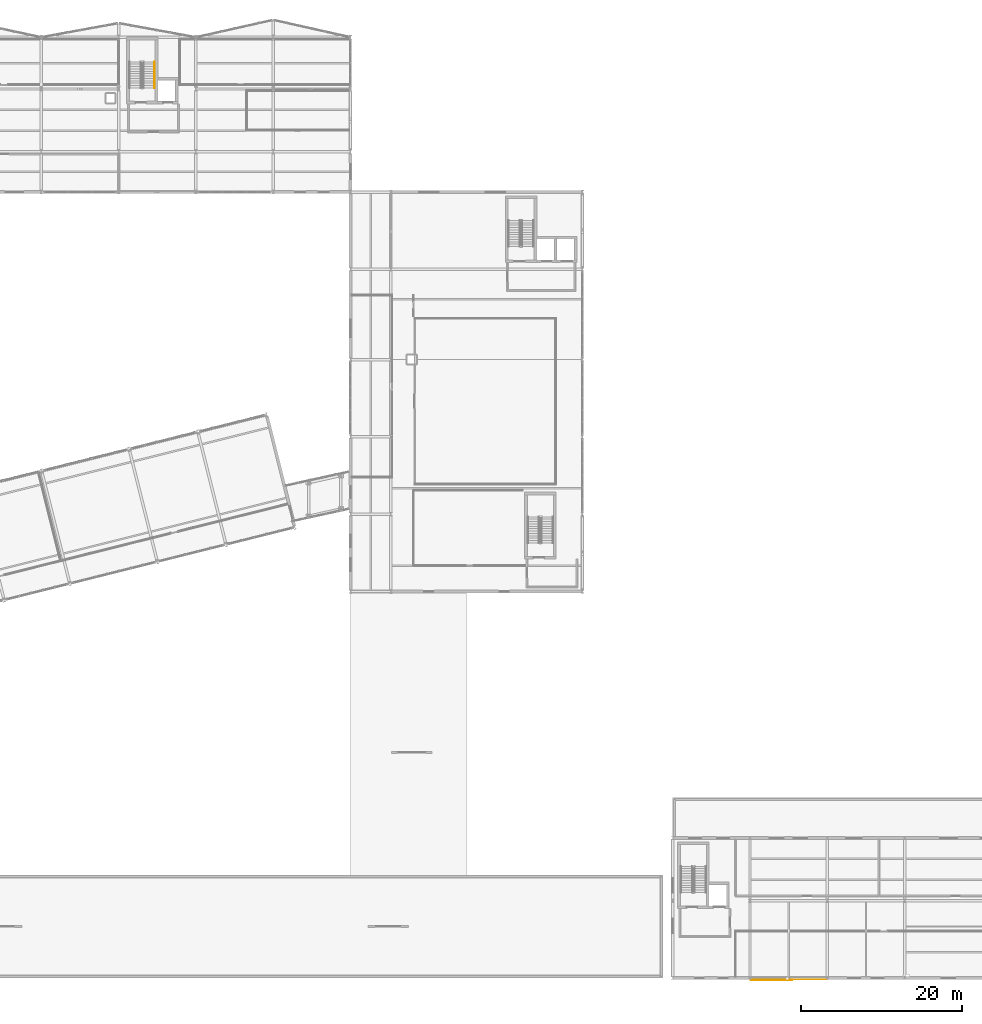
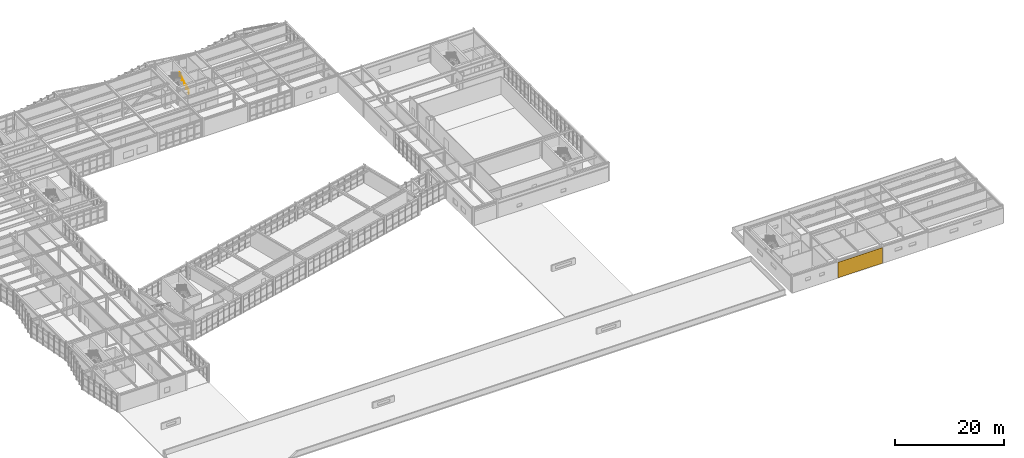
# One storey, part 87 of 88: 1 covering, 1 railing.
"""IFC4 building model written with IfcOpenShell, lengths in metres."""

from ifc_helpers import new_model, si_unit, direction, frame, origin, origin_2d, place, context, subcontext, project, spatial, rectangle, circle, extrude, material, layer, layer_set, type_object, element, save


model = new_model("IFC4")

# Units and contexts
model_context = context("Model", 3, precision=1e-05, world=origin(), true_north=direction((0.0, 1.0)))
body_context = subcontext(model_context, "Body", "Model", "MODEL_VIEW")
ifc_project = project(units=[si_unit("LENGTHUNIT", "METRE"), si_unit("AREAUNIT", "SQUARE_METRE"), si_unit("VOLUMEUNIT", "CUBIC_METRE"), si_unit("PLANEANGLEUNIT", "RADIAN"), si_unit("MASSUNIT", "GRAM", prefix="KILO")], contexts=[model_context])

# Site, building, storey
site_placement = place(None, origin())
site = spatial("IfcSite", under=ifc_project, at=site_placement, CompositionType="ELEMENT")
building_placement = place(site_placement, origin())
building = spatial("IfcBuilding", under=site, at=building_placement, Name="Nordkorset Police Headquarters", CompositionType="ELEMENT")
storey_placement = place(building_placement, frame((0.0, 0.0, 9.449951171875)))
storey = spatial("IfcBuildingStorey", under=building, at=storey_placement, Name="L02", CompositionType="ELEMENT", Elevation=9.449951171875)

# Covering
ifc_material_1 = material(Name="Nordic granite cladding", Category="masonry")
ifc_layer_1 = layer(ifc_material_1, 0.050048828125, Name="Nordic granite cladding")
ifc_layer_set_1 = layer_set([ifc_layer_1], Name="Nordic granite cladding")
covering_type = type_object("IfcCoveringType", Name="Cladding_Nordic_Granite", PredefinedType="CLADDING", material=ifc_layer_set_1)
covering_placement = place(storey_placement, frame((140.800048828125, -0.215087890625, 0.0751953125), z_axis=(0.0, 0.0, 1.0), x_axis=(1.0, 0.0, 0.0)))
element("IfcCovering", 1, at=covering_placement, inside=storey, type_object=covering_type, Name="Nordic Granite Rainscreen Cladding L02 V6S-1", PredefinedType="CLADDING", context=body_context, shape_type="SweptSolid", body=[
    extrude(rectangle(XDim=9.43408203125, YDim=0.050048828125, at=origin_2d()), origin(), (0.0, 0.0, 1.0), 3.485107421875),
])

# Railing
ifc_material_2 = material(Name="Steel S355J2", Category="steel")
ifc_layer_2 = layer(ifc_material_2, 0.048095703125, Name="Steel S355J2")
ifc_layer_set_2 = layer_set([ifc_layer_2], Name="Steel S355J2")
railing_type = type_object("IfcRailingType", Name="Railing_Handrail_900", PredefinedType="HANDRAIL", material=ifc_layer_set_2)
railing_placement = place(storey_placement, frame((62.074951171875, 110.52490234375, 0.175048828125)))
element("IfcRailing", 2, at=railing_placement, inside=storey, type_object=railing_type, Name="L02 ST-02 stair handrail 1", PredefinedType="HANDRAIL", context=body_context, shape_type="SweptSolid", body=[
    extrude(circle(Radius=0.02392578125, at=origin_2d()), frame((0.0, 0.0, 0.8759765625), z_axis=(0.0, 0.860057060016, 0.510197857224), x_axis=(-1.0, 0.0, 0.0)), (0.0, 0.0, 1.0), 3.773193359375),
    extrude(circle(Radius=0.02099609375, at=origin_2d()), origin(), (0.0, 0.0, 1.0), 0.851806640625),
    extrude(circle(Radius=0.02099609375, at=origin_2d()), frame((0.0, 0.811279296875, 0.481201171875)), (0.0, 0.0, 1.0), 0.851806640625),
    extrude(circle(Radius=0.02099609375, at=origin_2d()), frame((0.0, 1.62255859375, 0.96240234375)), (0.0, 0.0, 1.0), 0.851806640625),
    extrude(circle(Radius=0.02099609375, at=origin_2d()), frame((0.0, 2.433837890625, 1.44384765625)), (0.0, 0.0, 1.0), 0.851806640625),
    extrude(circle(Radius=0.02099609375, at=origin_2d()), frame((0.0, 3.2451171875, 1.925048828125)), (0.0, 0.0, 1.0), 0.851806640625),
])

save(model, "model.ifc")
